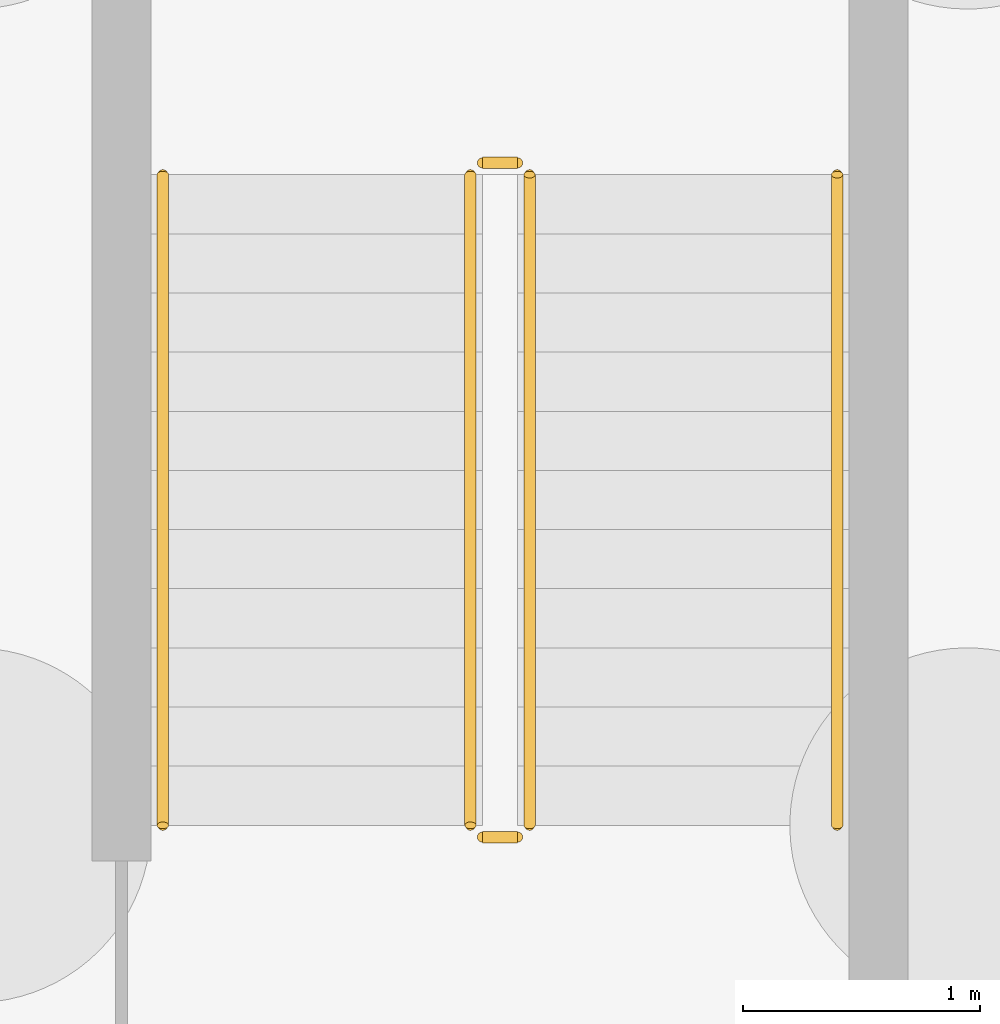
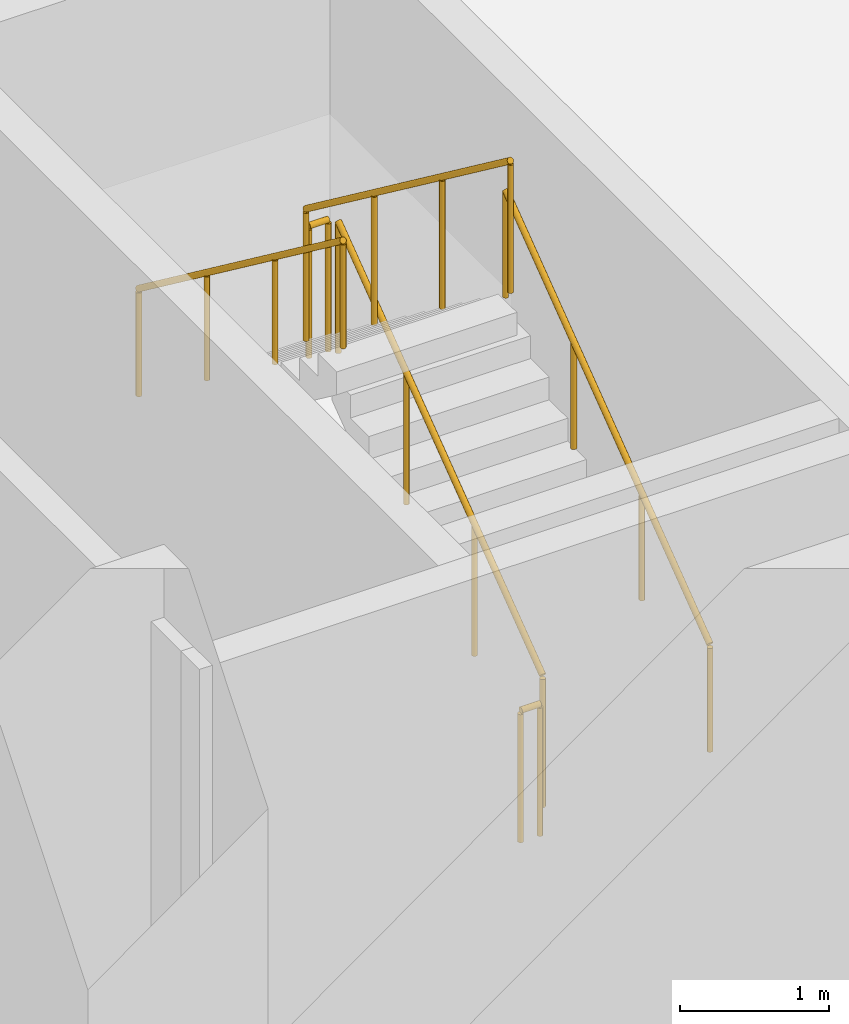
# One storey, part 11 of 13: 6 railings.
"""IFC4 building model written with IfcOpenShell, lengths in metres."""

from ifc_helpers import new_model, si_unit, direction, frame, origin, origin_2d, place, context, subcontext, project, spatial, circle, extrude, source, transform, mapped, material, type_object, element, save


model = new_model("IFC4")

# Units and contexts
model_context = context("Model", 3, precision=1e-05, world=origin(), true_north=direction((0.0, 1.0)))
body_context = subcontext(model_context, "Body", "Model", "MODEL_VIEW")
ifc_project = project(units=[si_unit("LENGTHUNIT", "METRE"), si_unit("AREAUNIT", "SQUARE_METRE"), si_unit("VOLUMEUNIT", "CUBIC_METRE"), si_unit("PLANEANGLEUNIT", "RADIAN"), si_unit("MASSUNIT", "GRAM", prefix="KILO")], contexts=[model_context])

# Site, building, storey
site_placement = place(None, origin())
site = spatial("IfcSite", under=ifc_project, at=site_placement, CompositionType="ELEMENT")
building_placement = place(site_placement, origin())
building = spatial("IfcBuilding", under=site, at=building_placement, Name="Aurelian Terraces", CompositionType="ELEMENT")
storey_placement = place(building_placement, frame((0.0, 0.0, -13.5)))
storey = spatial("IfcBuildingStorey", under=building, at=storey_placement, Name="B3", CompositionType="ELEMENT", Elevation=-13.5)

# Railings
ifc_material = material(Name="Stainless steel", Category="steel")
railing_type_1 = type_object("IfcRailingType", Name="Stair guard 1100", PredefinedType="GUARDRAIL", material=ifc_material)
shared_shape_1 = source(origin(), body_context, "Body", "SweptSolid", [
    extrude(circle(Radius=0.024, at=origin_2d()), frame((0.0, 0.0, 1.076), z_axis=(-1.0, 0.0, 0.0), x_axis=(0.0, -1.0, 0.0)), (0.0, 0.0, 1.0), 0.15),
    extrude(circle(Radius=0.021, at=origin_2d()), origin(), (0.0, 0.0, 1.0), 1.052),
    extrude(circle(Radius=0.021, at=origin_2d()), frame((-0.15, 0.0, 0.0)), (0.0, 0.0, 1.0), 1.052),
])
for number, where, name in (
    (1, (42.2, 4.9, 2.25), "B3 S2 stair guard 2"),
    (2, (42.2, 2.05, 0.0), "B3 S2 stair guard 4"),
):
    element("IfcRailing", number, at=place(storey_placement, frame(where)), inside=storey, type_object=railing_type_1, Name=name, PredefinedType="GUARDRAIL", context=body_context, shape_type="MappedRepresentation", body=[
        mapped(shared_shape_1, transform((0.0, 0.0, 0.0), scale=1.0)),
    ])
shared_shape_2 = source(origin(), body_context, "Body", "SweptSolid", [
    extrude(circle(Radius=0.024, at=origin_2d()), frame((0.0, 0.0, 1.076), z_axis=(0.0, 0.8, 0.6), x_axis=(-1.0, 0.0, 0.0)), (0.0, 0.0, 1.0), 3.4375),
    extrude(circle(Radius=0.021, at=origin_2d()), origin(), (0.0, 0.0, 1.0), 1.052),
    extrude(circle(Radius=0.021, at=origin_2d()), frame((0.0, 0.9167, 0.6875)), (0.0, 0.0, 1.0), 1.052),
    extrude(circle(Radius=0.021, at=origin_2d()), frame((0.0, 1.8333, 1.375)), (0.0, 0.0, 1.0), 1.052),
    extrude(circle(Radius=0.021, at=origin_2d()), frame((0.0, 2.75, 2.0625)), (0.0, 0.0, 1.0), 1.052),
])
railing_1_placement = place(storey_placement, frame((42.25, 2.1, 0.1875)))
element("IfcRailing", 3, at=railing_1_placement, inside=storey, type_object=railing_type_1, Name="B3 S2 stair guard 1", PredefinedType="GUARDRAIL", context=body_context, shape_type="MappedRepresentation", body=[
    mapped(shared_shape_2, transform((0.0, 0.0, 0.0), scale=1.0)),
])
shared_shape_3 = source(origin(), body_context, "Body", "SweptSolid", [
    extrude(circle(Radius=0.024, at=origin_2d()), frame((0.0, 0.0, 1.076), z_axis=(0.0, -0.8, 0.6), x_axis=(1.0, 0.0, 0.0)), (0.0, 0.0, 1.0), 3.4375),
    extrude(circle(Radius=0.021, at=origin_2d()), origin(), (0.0, 0.0, 1.0), 1.052),
    extrude(circle(Radius=0.021, at=origin_2d()), frame((0.0, -0.9167, 0.6875)), (0.0, 0.0, 1.0), 1.052),
    extrude(circle(Radius=0.021, at=origin_2d()), frame((0.0, -1.8333, 1.375)), (0.0, 0.0, 1.0), 1.052),
    extrude(circle(Radius=0.021, at=origin_2d()), frame((0.0, -2.75, 2.0625)), (0.0, 0.0, 1.0), 1.052),
])
railing_2_placement = place(storey_placement, frame((42.0, 4.85, 2.4375)))
element("IfcRailing", 4, at=railing_2_placement, inside=storey, type_object=railing_type_1, Name="B3 S2 stair guard 3", PredefinedType="GUARDRAIL", context=body_context, shape_type="MappedRepresentation", body=[
    mapped(shared_shape_3, transform((0.0, 0.0, 0.0), scale=1.0)),
])
railing_type_2 = type_object("IfcRailingType", Name="Stair handrail", PredefinedType="HANDRAIL", material=ifc_material)
shared_shape_4 = source(origin(), body_context, "Body", "SweptSolid", [
    extrude(circle(Radius=0.024, at=origin_2d()), frame((0.0, 0.0, 0.876), z_axis=(0.0, 0.8, 0.6), x_axis=(-1.0, 0.0, 0.0)), (0.0, 0.0, 1.0), 3.4375),
    extrude(circle(Radius=0.021, at=origin_2d()), origin(), (0.0, 0.0, 1.0), 0.852),
    extrude(circle(Radius=0.021, at=origin_2d()), frame((0.0, 0.9167, 0.6875)), (0.0, 0.0, 1.0), 0.852),
    extrude(circle(Radius=0.021, at=origin_2d()), frame((0.0, 1.8333, 1.375)), (0.0, 0.0, 1.0), 0.852),
    extrude(circle(Radius=0.021, at=origin_2d()), frame((0.0, 2.75, 2.0625)), (0.0, 0.0, 1.0), 0.852),
])
railing_3_placement = place(storey_placement, frame((43.55, 2.1, 0.1875)))
element("IfcRailing", 5, at=railing_3_placement, inside=storey, type_object=railing_type_2, Name="B3 S2 stair handrail 1", PredefinedType="HANDRAIL", context=body_context, shape_type="MappedRepresentation", body=[
    mapped(shared_shape_4, transform((0.0, 0.0, 0.0), scale=1.0)),
])
shared_shape_5 = source(origin(), body_context, "Body", "SweptSolid", [
    extrude(circle(Radius=0.024, at=origin_2d()), frame((0.0, 0.0, 0.876), z_axis=(0.0, -0.8, 0.6), x_axis=(1.0, 0.0, 0.0)), (0.0, 0.0, 1.0), 3.4375),
    extrude(circle(Radius=0.021, at=origin_2d()), origin(), (0.0, 0.0, 1.0), 0.852),
    extrude(circle(Radius=0.021, at=origin_2d()), frame((0.0, -0.9167, 0.6875)), (0.0, 0.0, 1.0), 0.852),
    extrude(circle(Radius=0.021, at=origin_2d()), frame((0.0, -1.8333, 1.375)), (0.0, 0.0, 1.0), 0.852),
    extrude(circle(Radius=0.021, at=origin_2d()), frame((0.0, -2.75, 2.0625)), (0.0, 0.0, 1.0), 0.852),
])
railing_4_placement = place(storey_placement, frame((40.7, 4.85, 2.4375)))
element("IfcRailing", 6, at=railing_4_placement, inside=storey, type_object=railing_type_2, Name="B3 S2 stair handrail 2", PredefinedType="HANDRAIL", context=body_context, shape_type="MappedRepresentation", body=[
    mapped(shared_shape_5, transform((0.0, 0.0, 0.0), scale=1.0)),
])

save(model, "model.ifc")
